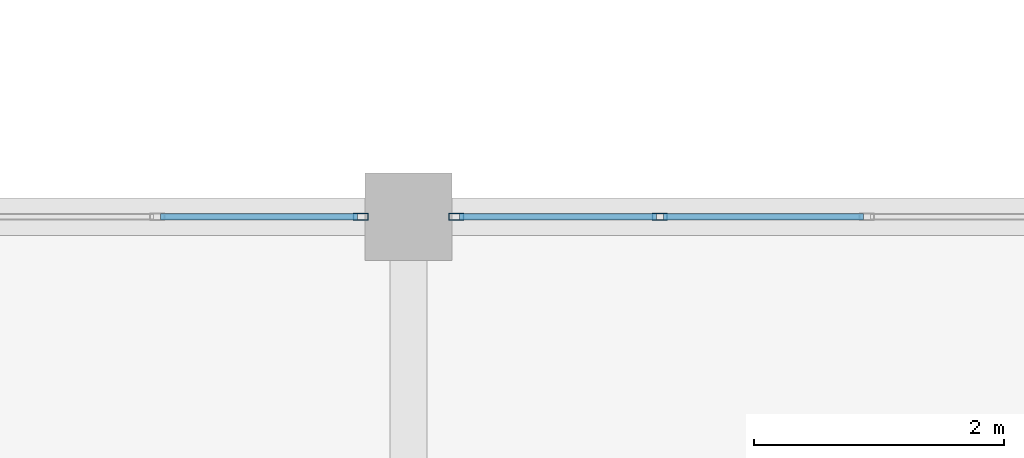
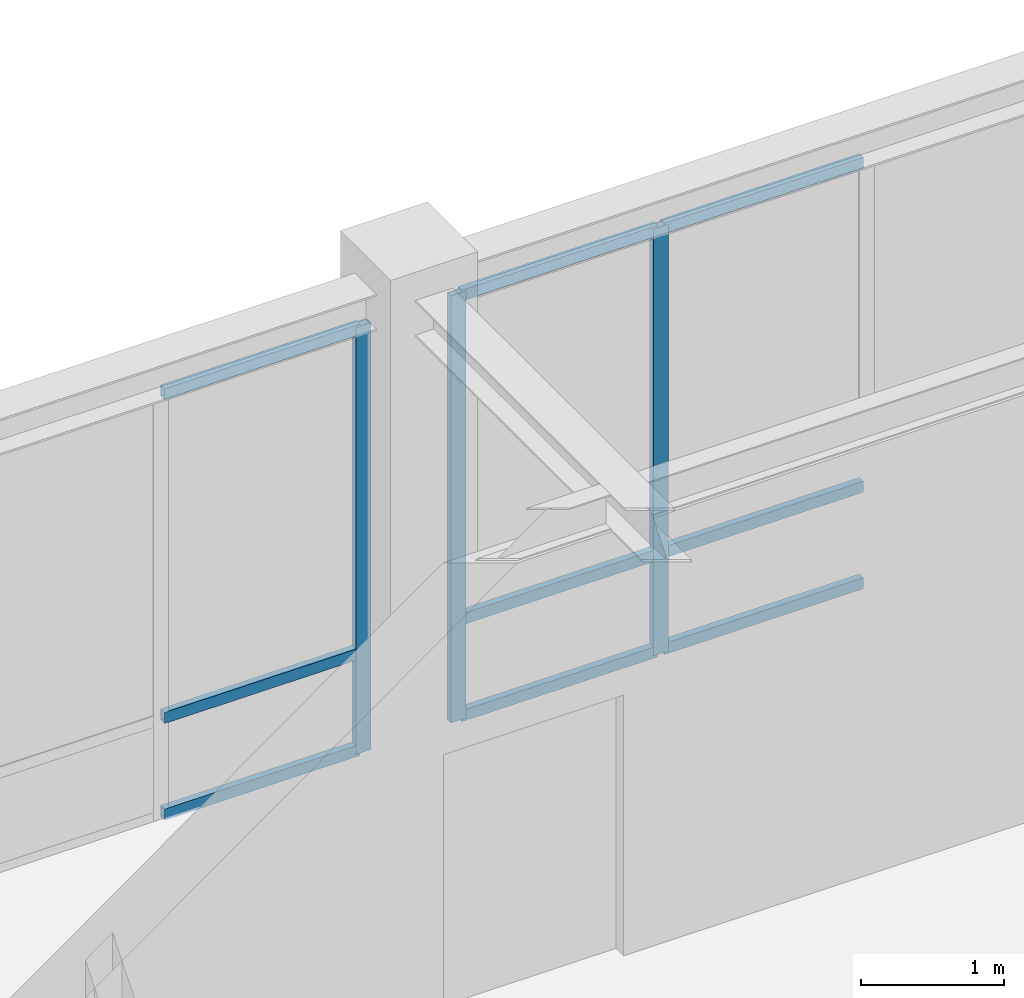
# One storey, part 52 of 108: 12 members, 2 elements without a shape of their own.
"""IFC4 building model written with IfcOpenShell, lengths in metres."""

from ifc_helpers import new_model, si_unit, direction, frame, origin, origin_2d, place, context, subcontext, project, spatial, hollow_rectangle, extrude, material, material_profile, profile_set, type_object, element, aggregate, save


model = new_model("IFC4")

# Units and contexts
model_context = context("Model", 3, precision=1e-05, world=origin(), true_north=direction((0.0, 1.0)))
body_context = subcontext(model_context, "Body", "Model", "MODEL_VIEW")
ifc_project = project(units=[si_unit("LENGTHUNIT", "METRE"), si_unit("AREAUNIT", "SQUARE_METRE"), si_unit("VOLUMEUNIT", "CUBIC_METRE"), si_unit("PLANEANGLEUNIT", "RADIAN"), si_unit("MASSUNIT", "GRAM", prefix="KILO")], contexts=[model_context])

# Site, building, storey
site_placement = place(None, origin())
site = spatial("IfcSite", under=ifc_project, at=site_placement, CompositionType="ELEMENT")
building_placement = place(site_placement, origin())
building = spatial("IfcBuilding", under=site, at=building_placement, Name="Lykobir Media Centre", CompositionType="ELEMENT")
storey_placement = place(building_placement, frame((0.0, 0.0, 15.0)))
storey = spatial("IfcBuildingStorey", under=building, at=storey_placement, Name="L03", CompositionType="ELEMENT", Elevation=15.0)

# Curtain wall, member
ifc_material = material(Name="Anodized Aluminium AW-6060", Category="aluminium")
curtain_wall_type = type_object("IfcCurtainWallType", Name="CW-COURT-B", PredefinedType="NOTDEFINED", material=ifc_material)
curtain_wall_1_placement = place(storey_placement, origin())
curtain_wall_1 = element("IfcCurtainWall", 1, at=curtain_wall_1_placement, inside=storey, type_object=curtain_wall_type, Name="Curtain wall CW2-L03-0137", PredefinedType="NOTDEFINED")
ifc_material_profile_1 = material_profile(ifc_material, hollow_rectangle(XDim=0.054931640625, YDim=0.1201171875, WallThickness=0.003173828125, at=origin_2d()), Name="ALU MULLION 55x120")
ifc_profile_set_1 = profile_set([ifc_material_profile_1], Name="Anodized Aluminium AW-6060")
member_type_1 = type_object("IfcMemberType", Name="CWM-120", PredefinedType="MULLION", material=ifc_profile_set_1)
member_1_placement = place(storey_placement, frame((107.617431640625, 18.0, 0.0), z_axis=(0.0, 0.0, 1.0), x_axis=(0.0, 1.0, 0.0)))
member_1 = element("IfcMember", 2, at=member_1_placement, type_object=member_type_1, Name="CW2-L03-0137 mullion 6", PredefinedType="MULLION", context=body_context, shape_type="SweptSolid", body=[
    extrude(hollow_rectangle(XDim=0.054931640625, YDim=0.1201171875, WallThickness=0.003173828125, at=origin_2d()), origin(), (0.0, 0.0, 1.0), 3.635009765625),
])

# Curtain wall, members
curtain_wall_2_placement = place(storey_placement, origin())
curtain_wall_2 = element("IfcCurtainWall", 3, at=curtain_wall_2_placement, inside=storey, type_object=curtain_wall_type, Name="Curtain wall CW2-L03-0138", PredefinedType="NOTDEFINED")
member_2_placement = place(storey_placement, frame((108.382568359375, 18.0, 0.0), z_axis=(0.0, 0.0, 1.0), x_axis=(0.0, 1.0, 0.0)))
member_2 = element("IfcMember", 4, at=member_2_placement, type_object=member_type_1, Name="CW2-L03-0138 mullion 1", PredefinedType="MULLION", context=body_context, shape_type="SweptSolid", body=[
    extrude(hollow_rectangle(XDim=0.054931640625, YDim=0.1201171875, WallThickness=0.003173828125, at=origin_2d()), origin(), (0.0, 0.0, 1.0), 3.635009765625),
])
member_3_placement = place(storey_placement, frame((110.012939453125, 18.0, 0.0), z_axis=(0.0, 0.0, 1.0), x_axis=(0.0, 1.0, 0.0)))
member_3 = element("IfcMember", 5, at=member_3_placement, type_object=member_type_1, Name="CW2-L03-0138 mullion 2", PredefinedType="MULLION", context=body_context, shape_type="SweptSolid", body=[
    extrude(hollow_rectangle(XDim=0.054931640625, YDim=0.1201171875, WallThickness=0.003173828125, at=origin_2d()), origin(), (0.0, 0.0, 1.0), 3.635009765625),
])

# Member
ifc_material_profile_2 = material_profile(ifc_material, hollow_rectangle(XDim=0.054931640625, YDim=0.094970703125, WallThickness=0.0029296875, at=origin_2d()), Name="ALU TRANSOM 55x95")
ifc_profile_set_2 = profile_set([ifc_material_profile_2], Name="Anodized Aluminium AW-6060")
member_type_2 = type_object("IfcMemberType", Name="CWT-095", PredefinedType="USERDEFINED", material=ifc_profile_set_2)
member_4_placement = place(storey_placement, frame((106.014404296875, 18.0, 0.027587890625), z_axis=(1.0, 0.0, 0.0), x_axis=(0.0, 1.0, 0.0)))
member_4 = element("IfcMember", 6, at=member_4_placement, type_object=member_type_2, Name="CW2-L03-0137 transom 5.1", ObjectType="TRANSOM", PredefinedType="USERDEFINED", context=body_context, shape_type="SweptSolid", body=[
    extrude(hollow_rectangle(XDim=0.054931640625, YDim=0.094970703125, WallThickness=0.0029296875, at=origin_2d()), origin(), (0.0, 0.0, 1.0), 1.57568359375),
])

member_5_placement = place(storey_placement, frame((106.014404296875, 18.0, 0.85009765625), z_axis=(1.0, 0.0, 0.0), x_axis=(0.0, 1.0, 0.0)))
member_5 = element("IfcMember", 7, at=member_5_placement, type_object=member_type_2, Name="CW2-L03-0137 transom 5.2", ObjectType="TRANSOM", PredefinedType="USERDEFINED", context=body_context, shape_type="SweptSolid", body=[
    extrude(hollow_rectangle(XDim=0.054931640625, YDim=0.094970703125, WallThickness=0.0029296875, at=origin_2d()), origin(), (0.0, 0.0, 1.0), 1.57568359375),
])

member_6_placement = place(storey_placement, frame((106.014404296875, 18.0, 3.607421875), z_axis=(1.0, 0.0, 0.0), x_axis=(0.0, 1.0, 0.0)))
member_6 = element("IfcMember", 8, at=member_6_placement, type_object=member_type_2, Name="CW2-L03-0137 transom 5.3", ObjectType="TRANSOM", PredefinedType="USERDEFINED", context=body_context, shape_type="SweptSolid", body=[
    extrude(hollow_rectangle(XDim=0.054931640625, YDim=0.094970703125, WallThickness=0.0029296875, at=origin_2d()), origin(), (0.0, 0.0, 1.0), 1.57568359375),
])

aggregate(curtain_wall_1, [member_1, member_4, member_5, member_6])

member_7_placement = place(storey_placement, frame((108.409912109375, 18.0, 0.027587890625), z_axis=(1.0, 0.0, 0.0), x_axis=(0.0, 1.0, 0.0)))
member_7 = element("IfcMember", 9, at=member_7_placement, type_object=member_type_2, Name="CW2-L03-0138 transom 1.1", ObjectType="TRANSOM", PredefinedType="USERDEFINED", context=body_context, shape_type="SweptSolid", body=[
    extrude(hollow_rectangle(XDim=0.054931640625, YDim=0.094970703125, WallThickness=0.0029296875, at=origin_2d()), origin(), (0.0, 0.0, 1.0), 1.57568359375),
])

member_8_placement = place(storey_placement, frame((108.409912109375, 18.0, 0.85009765625), z_axis=(1.0, 0.0, 0.0), x_axis=(0.0, 1.0, 0.0)))
member_8 = element("IfcMember", 10, at=member_8_placement, type_object=member_type_2, Name="CW2-L03-0138 transom 1.2", ObjectType="TRANSOM", PredefinedType="USERDEFINED", context=body_context, shape_type="SweptSolid", body=[
    extrude(hollow_rectangle(XDim=0.054931640625, YDim=0.094970703125, WallThickness=0.0029296875, at=origin_2d()), origin(), (0.0, 0.0, 1.0), 1.57568359375),
])

member_9_placement = place(storey_placement, frame((108.409912109375, 18.0, 3.607421875), z_axis=(1.0, 0.0, 0.0), x_axis=(0.0, 1.0, 0.0)))
member_9 = element("IfcMember", 11, at=member_9_placement, type_object=member_type_2, Name="CW2-L03-0138 transom 1.3", ObjectType="TRANSOM", PredefinedType="USERDEFINED", context=body_context, shape_type="SweptSolid", body=[
    extrude(hollow_rectangle(XDim=0.054931640625, YDim=0.094970703125, WallThickness=0.0029296875, at=origin_2d()), origin(), (0.0, 0.0, 1.0), 1.57568359375),
])

member_10_placement = place(storey_placement, frame((110.04052734375, 18.0, 0.027587890625), z_axis=(1.0, 0.0, 0.0), x_axis=(0.0, 1.0, 0.0)))
member_10 = element("IfcMember", 12, at=member_10_placement, type_object=member_type_2, Name="CW2-L03-0138 transom 2.1", ObjectType="TRANSOM", PredefinedType="USERDEFINED", context=body_context, shape_type="SweptSolid", body=[
    extrude(hollow_rectangle(XDim=0.054931640625, YDim=0.094970703125, WallThickness=0.0029296875, at=origin_2d()), origin(), (0.0, 0.0, 1.0), 1.60302734375),
])

member_11_placement = place(storey_placement, frame((110.04052734375, 18.0, 0.85009765625), z_axis=(1.0, 0.0, 0.0), x_axis=(0.0, 1.0, 0.0)))
member_11 = element("IfcMember", 13, at=member_11_placement, type_object=member_type_2, Name="CW2-L03-0138 transom 2.2", ObjectType="TRANSOM", PredefinedType="USERDEFINED", context=body_context, shape_type="SweptSolid", body=[
    extrude(hollow_rectangle(XDim=0.054931640625, YDim=0.094970703125, WallThickness=0.0029296875, at=origin_2d()), origin(), (0.0, 0.0, 1.0), 1.60302734375),
])

member_12_placement = place(storey_placement, frame((110.04052734375, 18.0, 3.607421875), z_axis=(1.0, 0.0, 0.0), x_axis=(0.0, 1.0, 0.0)))
member_12 = element("IfcMember", 14, at=member_12_placement, type_object=member_type_2, Name="CW2-L03-0138 transom 2.3", ObjectType="TRANSOM", PredefinedType="USERDEFINED", context=body_context, shape_type="SweptSolid", body=[
    extrude(hollow_rectangle(XDim=0.054931640625, YDim=0.094970703125, WallThickness=0.0029296875, at=origin_2d()), origin(), (0.0, 0.0, 1.0), 1.60302734375),
])

aggregate(curtain_wall_2, [member_2, member_3, member_7, member_8, member_9, member_10, member_11, member_12])

save(model, "model.ifc")
